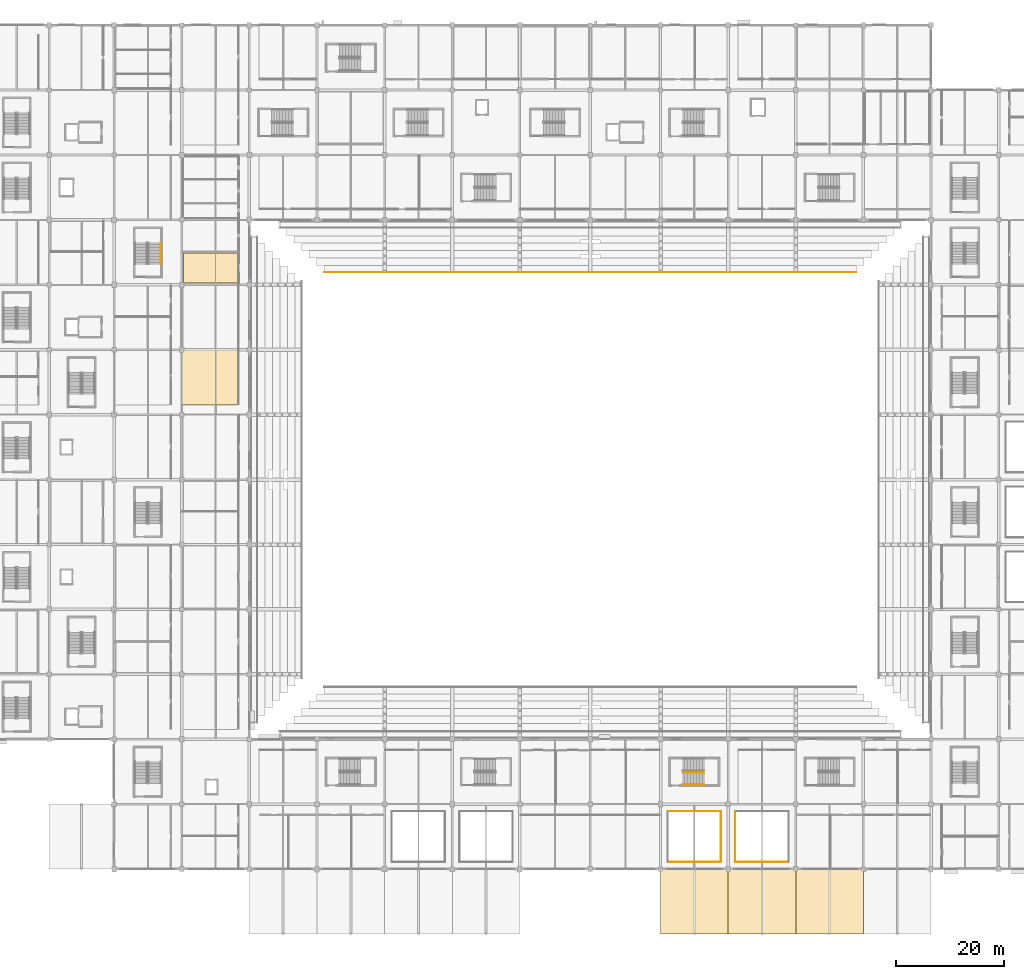
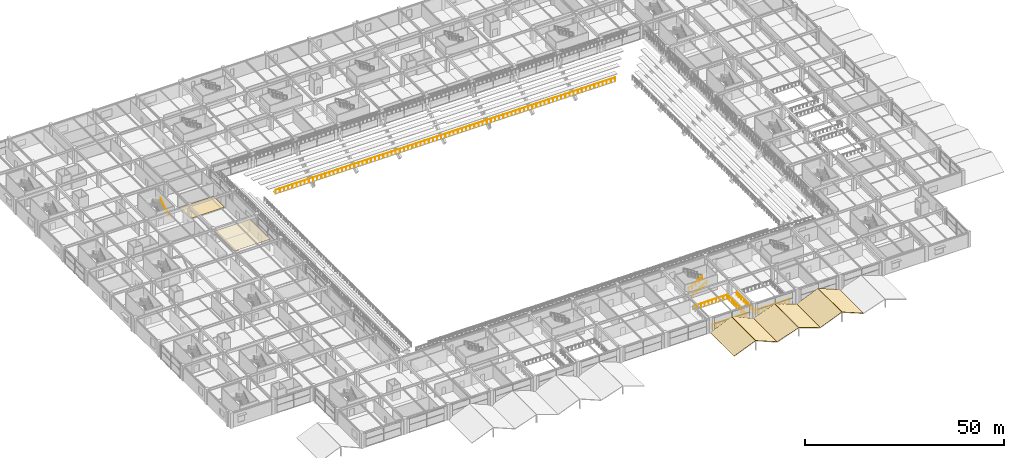
# One storey, part 111 of 134: 9 railings, 8 coverings.
"""IFC4 building model written with IfcOpenShell, lengths in metres."""

from ifc_helpers import new_model, si_unit, direction, frame, origin, origin_2d, place, context, subcontext, project, spatial, polyline, circle, outline, extrude, material, layer, layer_set, type_object, element, save


model = new_model("IFC4")

# Units and contexts
model_context = context("Model", 3, precision=1e-05, world=origin(), true_north=direction((0.0, 1.0)))
body_context = subcontext(model_context, "Body", "Model", "MODEL_VIEW")
ifc_project = project(units=[si_unit("LENGTHUNIT", "METRE"), si_unit("AREAUNIT", "SQUARE_METRE"), si_unit("VOLUMEUNIT", "CUBIC_METRE"), si_unit("PLANEANGLEUNIT", "RADIAN"), si_unit("MASSUNIT", "GRAM", prefix="KILO")], contexts=[model_context])

# Site, building, storey
site_placement = place(None, origin())
site = spatial("IfcSite", under=ifc_project, at=site_placement, CompositionType="ELEMENT")
building_placement = place(site_placement, origin())
building = spatial("IfcBuilding", under=site, at=building_placement, Name="Kazenohara Klinker Stadium", CompositionType="ELEMENT")
storey_placement = place(building_placement, frame((0.0, 0.0, 5.39990234375)))
storey = spatial("IfcBuildingStorey", under=building, at=storey_placement, Name="L01", CompositionType="ELEMENT", Elevation=5.39990234375)

# Coverings
ifc_material_1 = material(Name="Slatted Hokkaido cedar acoustic baffle ceiling", Category="wood")
ifc_layer_1 = layer(ifc_material_1, 0.0400390625)
ifc_layer_set_1 = layer_set([ifc_layer_1], Name="Slatted Hokkaido cedar acoustic baffle ceiling")
covering_type_1 = type_object("IfcCoveringType", Name="COV-CEIL-02", PredefinedType="CEILING", material=ifc_layer_set_1)
covering_1_placement = place(storey_placement, frame((0.0, 0.0, 3.739990234375)))
element("IfcCovering", 1, at=covering_1_placement, inside=storey, type_object=covering_type_1, Name="Suspended acoustic ceiling CL02 Spectator First-Aid Medical Clinic L01-0308A", PredefinedType="CEILING", context=body_context, shape_type="SweptSolid", body=[
    extrude(outline(polyline([(36.56005859375, 97.800048828125), (47.0400390625, 97.800048828125), (47.0400390625, 107.9599609375), (36.56005859375, 107.9599609375), (36.56005859375, 97.800048828125)])), origin(), (0.0, 0.0, 1.0), 0.0400390625),
])
ifc_material_2 = material(Name="Cushioned EPDM sports rubber flooring", Category="rubber")
ifc_layer_2 = layer(ifc_material_2, 0.014892578125)
ifc_layer_set_2 = layer_set([ifc_layer_2], Name="Cushioned EPDM sports rubber flooring")
covering_type_2 = type_object("IfcCoveringType", Name="COV-FLR-02", PredefinedType="FLOORING", material=ifc_layer_set_2)
covering_2_placement = place(storey_placement, origin())
element("IfcCovering", 2, at=covering_2_placement, inside=storey, type_object=covering_type_2, Name="Interior floor finish FL02 Youth Sports Coaching Classroom L01-0310A", PredefinedType="FLOORING", context=body_context, shape_type="SweptSolid", body=[
    extrude(outline(polyline([(36.830078125, 120.31005859375), (46.77001953125, 120.31005859375), (46.77001953125, 125.88671875), (36.830078125, 125.88671875), (36.830078125, 120.31005859375)])), origin(), (0.0, 0.0, 1.0), 0.01513671875),
])
ifc_material_3 = material(Name="Insulated standing-seam copper roofing", Category="metal")
ifc_layer_3 = layer(ifc_material_3, 0.050048828125)
ifc_layer_set_3 = layer_set([ifc_layer_3], Name="Insulated standing-seam copper roofing")
covering_type_3 = type_object("IfcCoveringType", Name="COV-ROOF-01", PredefinedType="ROOFING", material=ifc_layer_set_3)
for number, where, z_axis, x_axis, name in (
    (3, (125.0, 0.0, -0.02978515625), (-0.380352293876, 0.0, 0.924841679718), (0.924841679718, 0.0, 0.380352293876), "Standing-seam copper stepped wing roofing L01-A 11/A"),
    (4, (131.300048828125, 0.0, 2.52001953125), (0.380352293876, 0.0, 0.924841679718), (0.924841679718, 0.0, -0.380352293876), "Standing-seam copper stepped wing roofing L01-B 11/A"),
):
    element("IfcCovering", number, at=place(storey_placement, frame(where, z_axis=z_axis, x_axis=x_axis)), inside=storey, type_object=covering_type_3, Name=name, PredefinedType="ROOFING", context=body_context, shape_type="SweptSolid", body=[
        extrude(outline(polyline([(0.0, 0.0), (6.703797317791698, 0.0), (6.703797317791698, 12.0), (0.0, 12.0), (0.0, 0.0)])), origin(), (0.0, 0.0, -1.0), 0.050048828125),
    ])
for number, where, z_axis, x_axis, name in (
    (5, (137.5, 0.0, -0.02978515625), (-0.327622925614, 0.0, 0.944808561886), (0.944808561886, 0.0, 0.327622925614), "Standing-seam copper stepped wing roofing L01-A 12/A"),
    (6, (143.800048828125, 0.0, 2.1201171875), (0.327622925614, 0.0, 0.944808561886), (0.944808561886, 0.0, -0.327622925614), "Standing-seam copper stepped wing roofing L01-B 12/A"),
):
    element("IfcCovering", number, at=place(storey_placement, frame(where, z_axis=z_axis, x_axis=x_axis)), inside=storey, type_object=covering_type_3, Name=name, PredefinedType="ROOFING", context=body_context, shape_type="SweptSolid", body=[
        extrude(outline(polyline([(0.0, 0.0), (6.5621242461032345, 0.0), (6.5621242461032345, 12.0), (0.0, 12.0), (0.0, 0.0)])), origin(), (0.0, 0.0, -1.0), 0.050048828125),
    ])
for number, where, z_axis, x_axis, name in (
    (7, (150.0, 0.0, -0.02978515625), (-0.380352293876, 0.0, 0.924841679718), (0.924841679718, 0.0, 0.380352293876), "Standing-seam copper stepped wing roofing L01-A 13/A"),
    (8, (156.300048828125, 0.0, 2.52001953125), (0.380352293876, 0.0, 0.924841679718), (0.924841679718, 0.0, -0.380352293876), "Standing-seam copper stepped wing roofing L01-B 13/A"),
):
    element("IfcCovering", number, at=place(storey_placement, frame(where, z_axis=z_axis, x_axis=x_axis)), inside=storey, type_object=covering_type_3, Name=name, PredefinedType="ROOFING", context=body_context, shape_type="SweptSolid", body=[
        extrude(outline(polyline([(0.0, 0.0), (6.703797317791698, 0.0), (6.703797317791698, 12.0), (0.0, 12.0), (0.0, 0.0)])), origin(), (0.0, 0.0, -1.0), 0.050048828125),
    ])

# Railings
ifc_material_4 = material(Name="Tempered laminated glass and stainless steel 316 balustrade", Category="steel")
ifc_layer_4 = layer(ifc_material_4, 0.090087890625)
ifc_layer_set_4 = layer_set([ifc_layer_4], Name="Tempered laminated glass and stainless steel 316 balustrade")
railing_type_1 = type_object("IfcRailingType", Name="RL-BAL-1150", PredefinedType="BALUSTRADE", material=ifc_layer_set_4)
for number, where, name in (
    (9, (126.3701171875, 13.320068359375, 0.0), "Double-height atrium gallery balustrade BL01-V03-S"),
    (10, (126.3701171875, 22.679931640625, 0.0), "Double-height atrium gallery balustrade BL01-V03-N"),
):
    element("IfcRailing", number, at=place(storey_placement, frame(where)), inside=storey, type_object=railing_type_1, Name=name, PredefinedType="BALUSTRADE", context=body_context, shape_type="SweptSolid", body=[
        extrude(circle(Radius=0.02392578125, at=origin_2d()), frame((0.0, 0.0, 1.1259765625), z_axis=(1.0, 0.0, 0.0), x_axis=(0.0, 1.0, 0.0)), (0.0, 0.0, 1.0), 9.759765625),
        extrude(circle(Radius=0.02099609375, at=origin_2d()), origin(), (0.0, 0.0, 1.0), 1.101806640625),
        extrude(circle(Radius=0.02099609375, at=origin_2d()), frame((1.08447265625, 0.0, 0.0)), (0.0, 0.0, 1.0), 1.101806640625),
        extrude(circle(Radius=0.02099609375, at=origin_2d()), frame((2.1689453125, 0.0, 0.0)), (0.0, 0.0, 1.0), 1.101806640625),
        extrude(circle(Radius=0.02099609375, at=origin_2d()), frame((3.253173828125, 0.0, 0.0)), (0.0, 0.0, 1.0), 1.101806640625),
        extrude(circle(Radius=0.02099609375, at=origin_2d()), frame((4.337646484375, 0.0, 0.0)), (0.0, 0.0, 1.0), 1.101806640625),
        extrude(circle(Radius=0.02099609375, at=origin_2d()), frame((5.422119140625, 0.0, 0.0)), (0.0, 0.0, 1.0), 1.101806640625),
        extrude(circle(Radius=0.02099609375, at=origin_2d()), frame((6.506591796875, 0.0, 0.0)), (0.0, 0.0, 1.0), 1.101806640625),
        extrude(circle(Radius=0.02099609375, at=origin_2d()), frame((7.5908203125, 0.0, 0.0)), (0.0, 0.0, 1.0), 1.101806640625),
        extrude(circle(Radius=0.02099609375, at=origin_2d()), frame((8.67529296875, 0.0, 0.0)), (0.0, 0.0, 1.0), 1.101806640625),
        extrude(circle(Radius=0.02099609375, at=origin_2d()), frame((9.759765625, 0.0, 0.0)), (0.0, 0.0, 1.0), 1.101806640625),
    ])
railing_1_placement = place(storey_placement, frame((136.179931640625, 13.3701171875, 0.0)))
element("IfcRailing", 11, at=railing_1_placement, inside=storey, type_object=railing_type_1, Name="Double-height atrium gallery balustrade BL01-V03-E", PredefinedType="BALUSTRADE", context=body_context, shape_type="SweptSolid", body=[
    extrude(circle(Radius=0.02392578125, at=origin_2d()), frame((0.0, 0.0, 1.1259765625), z_axis=(0.0, 1.0, 0.0), x_axis=(-1.0, 0.0, 0.0)), (0.0, 0.0, 1.0), 9.259765625),
    extrude(circle(Radius=0.02099609375, at=origin_2d()), origin(), (0.0, 0.0, 1.0), 1.101806640625),
    extrude(circle(Radius=0.02099609375, at=origin_2d()), frame((0.0, 1.157470703125, 0.0)), (0.0, 0.0, 1.0), 1.101806640625),
    extrude(circle(Radius=0.02099609375, at=origin_2d()), frame((0.0, 2.31494140625, 0.0)), (0.0, 0.0, 1.0), 1.101806640625),
    extrude(circle(Radius=0.02099609375, at=origin_2d()), frame((0.0, 3.472412109375, 0.0)), (0.0, 0.0, 1.0), 1.101806640625),
    extrude(circle(Radius=0.02099609375, at=origin_2d()), frame((0.0, 4.6298828125, 0.0)), (0.0, 0.0, 1.0), 1.101806640625),
    extrude(circle(Radius=0.02099609375, at=origin_2d()), frame((0.0, 5.787353515625, 0.0)), (0.0, 0.0, 1.0), 1.101806640625),
    extrude(circle(Radius=0.02099609375, at=origin_2d()), frame((0.0, 6.94482421875, 0.0)), (0.0, 0.0, 1.0), 1.101806640625),
    extrude(circle(Radius=0.02099609375, at=origin_2d()), frame((0.0, 8.102294921875, 0.0)), (0.0, 0.0, 1.0), 1.101806640625),
    extrude(circle(Radius=0.02099609375, at=origin_2d()), frame((0.0, 9.259765625, 0.0)), (0.0, 0.0, 1.0), 1.101806640625),
])
railing_2_placement = place(storey_placement, frame((138.8701171875, 13.320068359375, 0.0)))
element("IfcRailing", 12, at=railing_2_placement, inside=storey, type_object=railing_type_1, Name="Double-height atrium gallery balustrade BL01-V04-S", PredefinedType="BALUSTRADE", context=body_context, shape_type="SweptSolid", body=[
    extrude(circle(Radius=0.02392578125, at=origin_2d()), frame((0.0, 0.0, 1.1259765625), z_axis=(1.0, 0.0, 0.0), x_axis=(0.0, 1.0, 0.0)), (0.0, 0.0, 1.0), 9.759765625),
    extrude(circle(Radius=0.02099609375, at=origin_2d()), origin(), (0.0, 0.0, 1.0), 1.101806640625),
    extrude(circle(Radius=0.02099609375, at=origin_2d()), frame((1.08447265625, 0.0, 0.0)), (0.0, 0.0, 1.0), 1.101806640625),
    extrude(circle(Radius=0.02099609375, at=origin_2d()), frame((2.1689453125, 0.0, 0.0)), (0.0, 0.0, 1.0), 1.101806640625),
    extrude(circle(Radius=0.02099609375, at=origin_2d()), frame((3.253173828125, 0.0, 0.0)), (0.0, 0.0, 1.0), 1.101806640625),
    extrude(circle(Radius=0.02099609375, at=origin_2d()), frame((4.337646484375, 0.0, 0.0)), (0.0, 0.0, 1.0), 1.101806640625),
    extrude(circle(Radius=0.02099609375, at=origin_2d()), frame((5.422119140625, 0.0, 0.0)), (0.0, 0.0, 1.0), 1.101806640625),
    extrude(circle(Radius=0.02099609375, at=origin_2d()), frame((6.506591796875, 0.0, 0.0)), (0.0, 0.0, 1.0), 1.101806640625),
    extrude(circle(Radius=0.02099609375, at=origin_2d()), frame((7.5908203125, 0.0, 0.0)), (0.0, 0.0, 1.0), 1.101806640625),
    extrude(circle(Radius=0.02099609375, at=origin_2d()), frame((8.67529296875, 0.0, 0.0)), (0.0, 0.0, 1.0), 1.101806640625),
    extrude(circle(Radius=0.02099609375, at=origin_2d()), frame((9.759765625, 0.0, 0.0)), (0.0, 0.0, 1.0), 1.101806640625),
])
railing_3_placement = place(storey_placement, frame((138.820068359375, 13.3701171875, 0.0)))
element("IfcRailing", 13, at=railing_3_placement, inside=storey, type_object=railing_type_1, Name="Double-height atrium gallery balustrade BL01-V04-W", PredefinedType="BALUSTRADE", context=body_context, shape_type="SweptSolid", body=[
    extrude(circle(Radius=0.02392578125, at=origin_2d()), frame((0.0, 0.0, 1.1259765625), z_axis=(0.0, 1.0, 0.0), x_axis=(-1.0, 0.0, 0.0)), (0.0, 0.0, 1.0), 9.259765625),
    extrude(circle(Radius=0.02099609375, at=origin_2d()), origin(), (0.0, 0.0, 1.0), 1.101806640625),
    extrude(circle(Radius=0.02099609375, at=origin_2d()), frame((0.0, 1.157470703125, 0.0)), (0.0, 0.0, 1.0), 1.101806640625),
    extrude(circle(Radius=0.02099609375, at=origin_2d()), frame((0.0, 2.31494140625, 0.0)), (0.0, 0.0, 1.0), 1.101806640625),
    extrude(circle(Radius=0.02099609375, at=origin_2d()), frame((0.0, 3.472412109375, 0.0)), (0.0, 0.0, 1.0), 1.101806640625),
    extrude(circle(Radius=0.02099609375, at=origin_2d()), frame((0.0, 4.6298828125, 0.0)), (0.0, 0.0, 1.0), 1.101806640625),
    extrude(circle(Radius=0.02099609375, at=origin_2d()), frame((0.0, 5.787353515625, 0.0)), (0.0, 0.0, 1.0), 1.101806640625),
    extrude(circle(Radius=0.02099609375, at=origin_2d()), frame((0.0, 6.94482421875, 0.0)), (0.0, 0.0, 1.0), 1.101806640625),
    extrude(circle(Radius=0.02099609375, at=origin_2d()), frame((0.0, 8.102294921875, 0.0)), (0.0, 0.0, 1.0), 1.101806640625),
    extrude(circle(Radius=0.02099609375, at=origin_2d()), frame((0.0, 9.259765625, 0.0)), (0.0, 0.0, 1.0), 1.101806640625),
])
ifc_material_5 = material(Name="Galvanised powder-coated steel guardrail", Category="steel")
ifc_layer_5 = layer(ifc_material_5, 0.070068359375)
ifc_layer_set_5 = layer_set([ifc_layer_5], Name="Galvanised powder-coated steel guardrail")
railing_type_2 = type_object("IfcRailingType", Name="RL-GRD-1150", PredefinedType="GUARDRAIL", material=ifc_layer_set_5)
railing_4_placement = place(storey_placement, frame((62.840087890625, 122.320068359375, -2.599853515625)))
element("IfcRailing", 14, at=railing_4_placement, inside=storey, type_object=railing_type_2, Name="Spectator stand sightline guardrail TIER-LOWER-N-07", PredefinedType="GUARDRAIL", context=body_context, shape_type="SweptSolid", body=[
    extrude(circle(Radius=0.02392578125, at=origin_2d()), frame((0.0, 0.0, 1.1259765625), z_axis=(1.0, 0.0, 0.0), x_axis=(0.0, 1.0, 0.0)), (0.0, 0.0, 1.0), 98.31982421875),
    extrude(circle(Radius=0.02099609375, at=origin_2d()), origin(), (0.0, 0.0, 1.0), 1.101806640625),
    extrude(circle(Radius=0.02099609375, at=origin_2d()), frame((1.198974609375, 0.0, 0.0)), (0.0, 0.0, 1.0), 1.101806640625),
    extrude(circle(Radius=0.02099609375, at=origin_2d()), frame((2.39794921875, 0.0, 0.0)), (0.0, 0.0, 1.0), 1.101806640625),
    extrude(circle(Radius=0.02099609375, at=origin_2d()), frame((3.59716796875, 0.0, 0.0)), (0.0, 0.0, 1.0), 1.101806640625),
    extrude(circle(Radius=0.02099609375, at=origin_2d()), frame((4.796142578125, 0.0, 0.0)), (0.0, 0.0, 1.0), 1.101806640625),
    extrude(circle(Radius=0.02099609375, at=origin_2d()), frame((5.9951171875, 0.0, 0.0)), (0.0, 0.0, 1.0), 1.101806640625),
    extrude(circle(Radius=0.02099609375, at=origin_2d()), frame((7.194091796875, 0.0, 0.0)), (0.0, 0.0, 1.0), 1.101806640625),
    extrude(circle(Radius=0.02099609375, at=origin_2d()), frame((8.39306640625, 0.0, 0.0)), (0.0, 0.0, 1.0), 1.101806640625),
    extrude(circle(Radius=0.02099609375, at=origin_2d()), frame((9.59228515625, 0.0, 0.0)), (0.0, 0.0, 1.0), 1.101806640625),
    extrude(circle(Radius=0.02099609375, at=origin_2d()), frame((10.791259765625, 0.0, 0.0)), (0.0, 0.0, 1.0), 1.101806640625),
    extrude(circle(Radius=0.02099609375, at=origin_2d()), frame((11.990234375, 0.0, 0.0)), (0.0, 0.0, 1.0), 1.101806640625),
    extrude(circle(Radius=0.02099609375, at=origin_2d()), frame((13.189208984375, 0.0, 0.0)), (0.0, 0.0, 1.0), 1.101806640625),
    extrude(circle(Radius=0.02099609375, at=origin_2d()), frame((14.38818359375, 0.0, 0.0)), (0.0, 0.0, 1.0), 1.101806640625),
    extrude(circle(Radius=0.02099609375, at=origin_2d()), frame((15.58740234375, 0.0, 0.0)), (0.0, 0.0, 1.0), 1.101806640625),
    extrude(circle(Radius=0.02099609375, at=origin_2d()), frame((16.786376953125, 0.0, 0.0)), (0.0, 0.0, 1.0), 1.101806640625),
    extrude(circle(Radius=0.02099609375, at=origin_2d()), frame((17.9853515625, 0.0, 0.0)), (0.0, 0.0, 1.0), 1.101806640625),
    extrude(circle(Radius=0.02099609375, at=origin_2d()), frame((19.184326171875, 0.0, 0.0)), (0.0, 0.0, 1.0), 1.101806640625),
    extrude(circle(Radius=0.02099609375, at=origin_2d()), frame((20.38330078125, 0.0, 0.0)), (0.0, 0.0, 1.0), 1.101806640625),
    extrude(circle(Radius=0.02099609375, at=origin_2d()), frame((21.58251953125, 0.0, 0.0)), (0.0, 0.0, 1.0), 1.101806640625),
    extrude(circle(Radius=0.02099609375, at=origin_2d()), frame((22.781494140625, 0.0, 0.0)), (0.0, 0.0, 1.0), 1.101806640625),
    extrude(circle(Radius=0.02099609375, at=origin_2d()), frame((23.98046875, 0.0, 0.0)), (0.0, 0.0, 1.0), 1.101806640625),
    extrude(circle(Radius=0.02099609375, at=origin_2d()), frame((25.179443359375, 0.0, 0.0)), (0.0, 0.0, 1.0), 1.101806640625),
    extrude(circle(Radius=0.02099609375, at=origin_2d()), frame((26.37841796875, 0.0, 0.0)), (0.0, 0.0, 1.0), 1.101806640625),
    extrude(circle(Radius=0.02099609375, at=origin_2d()), frame((27.577392578125, 0.0, 0.0)), (0.0, 0.0, 1.0), 1.101806640625),
    extrude(circle(Radius=0.02099609375, at=origin_2d()), frame((28.776611328125, 0.0, 0.0)), (0.0, 0.0, 1.0), 1.101806640625),
    extrude(circle(Radius=0.02099609375, at=origin_2d()), frame((29.9755859375, 0.0, 0.0)), (0.0, 0.0, 1.0), 1.101806640625),
    extrude(circle(Radius=0.02099609375, at=origin_2d()), frame((31.174560546875, 0.0, 0.0)), (0.0, 0.0, 1.0), 1.101806640625),
    extrude(circle(Radius=0.02099609375, at=origin_2d()), frame((32.37353515625, 0.0, 0.0)), (0.0, 0.0, 1.0), 1.101806640625),
    extrude(circle(Radius=0.02099609375, at=origin_2d()), frame((33.572509765625, 0.0, 0.0)), (0.0, 0.0, 1.0), 1.101806640625),
    extrude(circle(Radius=0.02099609375, at=origin_2d()), frame((34.771728515625, 0.0, 0.0)), (0.0, 0.0, 1.0), 1.101806640625),
    extrude(circle(Radius=0.02099609375, at=origin_2d()), frame((35.970703125, 0.0, 0.0)), (0.0, 0.0, 1.0), 1.101806640625),
    extrude(circle(Radius=0.02099609375, at=origin_2d()), frame((37.169677734375, 0.0, 0.0)), (0.0, 0.0, 1.0), 1.101806640625),
    extrude(circle(Radius=0.02099609375, at=origin_2d()), frame((38.36865234375, 0.0, 0.0)), (0.0, 0.0, 1.0), 1.101806640625),
    extrude(circle(Radius=0.02099609375, at=origin_2d()), frame((39.567626953125, 0.0, 0.0)), (0.0, 0.0, 1.0), 1.101806640625),
    extrude(circle(Radius=0.02099609375, at=origin_2d()), frame((40.766845703125, 0.0, 0.0)), (0.0, 0.0, 1.0), 1.101806640625),
    extrude(circle(Radius=0.02099609375, at=origin_2d()), frame((41.9658203125, 0.0, 0.0)), (0.0, 0.0, 1.0), 1.101806640625),
    extrude(circle(Radius=0.02099609375, at=origin_2d()), frame((43.164794921875, 0.0, 0.0)), (0.0, 0.0, 1.0), 1.101806640625),
    extrude(circle(Radius=0.02099609375, at=origin_2d()), frame((44.36376953125, 0.0, 0.0)), (0.0, 0.0, 1.0), 1.101806640625),
    extrude(circle(Radius=0.02099609375, at=origin_2d()), frame((45.562744140625, 0.0, 0.0)), (0.0, 0.0, 1.0), 1.101806640625),
    extrude(circle(Radius=0.02099609375, at=origin_2d()), frame((46.761962890625, 0.0, 0.0)), (0.0, 0.0, 1.0), 1.101806640625),
    extrude(circle(Radius=0.02099609375, at=origin_2d()), frame((47.9609375, 0.0, 0.0)), (0.0, 0.0, 1.0), 1.101806640625),
    extrude(circle(Radius=0.02099609375, at=origin_2d()), frame((49.159912109375, 0.0, 0.0)), (0.0, 0.0, 1.0), 1.101806640625),
    extrude(circle(Radius=0.02099609375, at=origin_2d()), frame((50.35888671875, 0.0, 0.0)), (0.0, 0.0, 1.0), 1.101806640625),
    extrude(circle(Radius=0.02099609375, at=origin_2d()), frame((51.557861328125, 0.0, 0.0)), (0.0, 0.0, 1.0), 1.101806640625),
    extrude(circle(Radius=0.02099609375, at=origin_2d()), frame((52.757080078125, 0.0, 0.0)), (0.0, 0.0, 1.0), 1.101806640625),
    extrude(circle(Radius=0.02099609375, at=origin_2d()), frame((53.9560546875, 0.0, 0.0)), (0.0, 0.0, 1.0), 1.101806640625),
    extrude(circle(Radius=0.02099609375, at=origin_2d()), frame((55.155029296875, 0.0, 0.0)), (0.0, 0.0, 1.0), 1.101806640625),
    extrude(circle(Radius=0.02099609375, at=origin_2d()), frame((56.35400390625, 0.0, 0.0)), (0.0, 0.0, 1.0), 1.101806640625),
    extrude(circle(Radius=0.02099609375, at=origin_2d()), frame((57.552978515625, 0.0, 0.0)), (0.0, 0.0, 1.0), 1.101806640625),
    extrude(circle(Radius=0.02099609375, at=origin_2d()), frame((58.752197265625, 0.0, 0.0)), (0.0, 0.0, 1.0), 1.101806640625),
    extrude(circle(Radius=0.02099609375, at=origin_2d()), frame((59.951171875, 0.0, 0.0)), (0.0, 0.0, 1.0), 1.101806640625),
    extrude(circle(Radius=0.02099609375, at=origin_2d()), frame((61.150146484375, 0.0, 0.0)), (0.0, 0.0, 1.0), 1.101806640625),
    extrude(circle(Radius=0.02099609375, at=origin_2d()), frame((62.34912109375, 0.0, 0.0)), (0.0, 0.0, 1.0), 1.101806640625),
    extrude(circle(Radius=0.02099609375, at=origin_2d()), frame((63.548095703125, 0.0, 0.0)), (0.0, 0.0, 1.0), 1.101806640625),
    extrude(circle(Radius=0.02099609375, at=origin_2d()), frame((64.747314453125, 0.0, 0.0)), (0.0, 0.0, 1.0), 1.101806640625),
    extrude(circle(Radius=0.02099609375, at=origin_2d()), frame((65.9462890625, 0.0, 0.0)), (0.0, 0.0, 1.0), 1.101806640625),
    extrude(circle(Radius=0.02099609375, at=origin_2d()), frame((67.145263671875, 0.0, 0.0)), (0.0, 0.0, 1.0), 1.101806640625),
    extrude(circle(Radius=0.02099609375, at=origin_2d()), frame((68.34423828125, 0.0, 0.0)), (0.0, 0.0, 1.0), 1.101806640625),
    extrude(circle(Radius=0.02099609375, at=origin_2d()), frame((69.543212890625, 0.0, 0.0)), (0.0, 0.0, 1.0), 1.101806640625),
    extrude(circle(Radius=0.02099609375, at=origin_2d()), frame((70.742431640625, 0.0, 0.0)), (0.0, 0.0, 1.0), 1.101806640625),
    extrude(circle(Radius=0.02099609375, at=origin_2d()), frame((71.94140625, 0.0, 0.0)), (0.0, 0.0, 1.0), 1.101806640625),
    extrude(circle(Radius=0.02099609375, at=origin_2d()), frame((73.140380859375, 0.0, 0.0)), (0.0, 0.0, 1.0), 1.101806640625),
    extrude(circle(Radius=0.02099609375, at=origin_2d()), frame((74.33935546875, 0.0, 0.0)), (0.0, 0.0, 1.0), 1.101806640625),
    extrude(circle(Radius=0.02099609375, at=origin_2d()), frame((75.538330078125, 0.0, 0.0)), (0.0, 0.0, 1.0), 1.101806640625),
    extrude(circle(Radius=0.02099609375, at=origin_2d()), frame((76.7373046875, 0.0, 0.0)), (0.0, 0.0, 1.0), 1.101806640625),
    extrude(circle(Radius=0.02099609375, at=origin_2d()), frame((77.9365234375, 0.0, 0.0)), (0.0, 0.0, 1.0), 1.101806640625),
    extrude(circle(Radius=0.02099609375, at=origin_2d()), frame((79.135498046875, 0.0, 0.0)), (0.0, 0.0, 1.0), 1.101806640625),
    extrude(circle(Radius=0.02099609375, at=origin_2d()), frame((80.33447265625, 0.0, 0.0)), (0.0, 0.0, 1.0), 1.101806640625),
    extrude(circle(Radius=0.02099609375, at=origin_2d()), frame((81.533447265625, 0.0, 0.0)), (0.0, 0.0, 1.0), 1.101806640625),
    extrude(circle(Radius=0.02099609375, at=origin_2d()), frame((82.732421875, 0.0, 0.0)), (0.0, 0.0, 1.0), 1.101806640625),
    extrude(circle(Radius=0.02099609375, at=origin_2d()), frame((83.931640625, 0.0, 0.0)), (0.0, 0.0, 1.0), 1.101806640625),
    extrude(circle(Radius=0.02099609375, at=origin_2d()), frame((85.130615234375, 0.0, 0.0)), (0.0, 0.0, 1.0), 1.101806640625),
    extrude(circle(Radius=0.02099609375, at=origin_2d()), frame((86.32958984375, 0.0, 0.0)), (0.0, 0.0, 1.0), 1.101806640625),
    extrude(circle(Radius=0.02099609375, at=origin_2d()), frame((87.528564453125, 0.0, 0.0)), (0.0, 0.0, 1.0), 1.101806640625),
    extrude(circle(Radius=0.02099609375, at=origin_2d()), frame((88.7275390625, 0.0, 0.0)), (0.0, 0.0, 1.0), 1.101806640625),
    extrude(circle(Radius=0.02099609375, at=origin_2d()), frame((89.9267578125, 0.0, 0.0)), (0.0, 0.0, 1.0), 1.101806640625),
    extrude(circle(Radius=0.02099609375, at=origin_2d()), frame((91.125732421875, 0.0, 0.0)), (0.0, 0.0, 1.0), 1.101806640625),
    extrude(circle(Radius=0.02099609375, at=origin_2d()), frame((92.32470703125, 0.0, 0.0)), (0.0, 0.0, 1.0), 1.101806640625),
    extrude(circle(Radius=0.02099609375, at=origin_2d()), frame((93.523681640625, 0.0, 0.0)), (0.0, 0.0, 1.0), 1.101806640625),
    extrude(circle(Radius=0.02099609375, at=origin_2d()), frame((94.72265625, 0.0, 0.0)), (0.0, 0.0, 1.0), 1.101806640625),
    extrude(circle(Radius=0.02099609375, at=origin_2d()), frame((95.921875, 0.0, 0.0)), (0.0, 0.0, 1.0), 1.101806640625),
    extrude(circle(Radius=0.02099609375, at=origin_2d()), frame((97.120849609375, 0.0, 0.0)), (0.0, 0.0, 1.0), 1.101806640625),
    extrude(circle(Radius=0.02099609375, at=origin_2d()), frame((98.31982421875, 0.0, 0.0)), (0.0, 0.0, 1.0), 1.101806640625),
])
ifc_material_6 = material(Name="Brushed stainless steel 304 handrail", Category="steel")
ifc_layer_6 = layer(ifc_material_6, 0.050048828125)
ifc_layer_set_6 = layer_set([ifc_layer_6], Name="Brushed stainless steel 304 handrail")
railing_type_3 = type_object("IfcRailingType", Name="RL-HND-900", PredefinedType="HANDRAIL", material=ifc_layer_set_6)
railing_5_placement = place(storey_placement, frame((32.610107421875, 123.85009765625, 0.16015625)))
element("IfcRailing", 15, at=railing_5_placement, inside=storey, type_object=railing_type_3, Name="L01 ST18 stair handrail 1", PredefinedType="HANDRAIL", context=body_context, shape_type="SweptSolid", body=[
    extrude(circle(Radius=0.02392578125, at=origin_2d()), frame((0.0, 0.0, 0.8759765625), z_axis=(0.0, 0.868239814368, 0.496144761885), x_axis=(-1.0, 0.0, 0.0)), (0.0, 0.0, 1.0), 4.514892578125),
    extrude(circle(Radius=0.02099609375, at=origin_2d()), origin(), (0.0, 0.0, 1.0), 0.851806640625),
    extrude(circle(Radius=0.02099609375, at=origin_2d()), frame((0.0, 0.97998046875, 0.56005859375)), (0.0, 0.0, 1.0), 0.851806640625),
    extrude(circle(Radius=0.02099609375, at=origin_2d()), frame((0.0, 1.9599609375, 1.1201171875)), (0.0, 0.0, 1.0), 0.851806640625),
    extrude(circle(Radius=0.02099609375, at=origin_2d()), frame((0.0, 2.93994140625, 1.679931640625)), (0.0, 0.0, 1.0), 0.851806640625),
    extrude(circle(Radius=0.02099609375, at=origin_2d()), frame((0.0, 3.919921875, 2.239990234375)), (0.0, 0.0, 1.0), 0.851806640625),
])
railing_6_placement = place(storey_placement, frame((129.1201171875, 27.6201171875, 0.16015625)))
element("IfcRailing", 16, at=railing_6_placement, inside=storey, type_object=railing_type_3, Name="L01 ST27 stair handrail 1", PredefinedType="HANDRAIL", context=body_context, shape_type="SweptSolid", body=[
    extrude(circle(Radius=0.02392578125, at=origin_2d()), frame((0.0, 0.0, 0.8759765625), z_axis=(0.868239814368, 0.0, 0.496144761885), x_axis=(0.0, 1.0, 0.0)), (0.0, 0.0, 1.0), 4.514892578125),
    extrude(circle(Radius=0.02099609375, at=origin_2d()), origin(), (0.0, 0.0, 1.0), 0.851806640625),
    extrude(circle(Radius=0.02099609375, at=origin_2d()), frame((0.97998046875, 0.0, 0.56005859375)), (0.0, 0.0, 1.0), 0.851806640625),
    extrude(circle(Radius=0.02099609375, at=origin_2d()), frame((1.9599609375, 0.0, 1.1201171875)), (0.0, 0.0, 1.0), 0.851806640625),
    extrude(circle(Radius=0.02099609375, at=origin_2d()), frame((2.93994140625, 0.0, 1.679931640625)), (0.0, 0.0, 1.0), 0.851806640625),
    extrude(circle(Radius=0.02099609375, at=origin_2d()), frame((3.919921875, 0.0, 2.239990234375)), (0.0, 0.0, 1.0), 0.851806640625),
])
ifc_material_7 = material(Name="Painted steel stairwell guardrail", Category="steel")
ifc_layer_7 = layer(ifc_material_7, 0.06005859375)
ifc_layer_set_7 = layer_set([ifc_layer_7], Name="Painted steel stairwell guardrail")
railing_type_4 = type_object("IfcRailingType", Name="RL-STG-1120", PredefinedType="GUARDRAIL", material=ifc_layer_set_7)
railing_7_placement = place(storey_placement, frame((129.1201171875, 29.85009765625, 0.16015625)))
element("IfcRailing", 17, at=railing_7_placement, inside=storey, type_object=railing_type_4, Name="L01 ST27 stair guard 1", PredefinedType="GUARDRAIL", context=body_context, shape_type="SweptSolid", body=[
    extrude(circle(Radius=0.02392578125, at=origin_2d()), frame((0.0, 0.0, 1.1259765625), z_axis=(0.868239814368, 0.0, 0.496144761885), x_axis=(0.0, 1.0, 0.0)), (0.0, 0.0, 1.0), 4.514892578125),
    extrude(circle(Radius=0.02099609375, at=origin_2d()), origin(), (0.0, 0.0, 1.0), 1.101806640625),
    extrude(circle(Radius=0.02099609375, at=origin_2d()), frame((0.97998046875, 0.0, 0.56005859375)), (0.0, 0.0, 1.0), 1.101806640625),
    extrude(circle(Radius=0.02099609375, at=origin_2d()), frame((1.9599609375, 0.0, 1.1201171875)), (0.0, 0.0, 1.0), 1.101806640625),
    extrude(circle(Radius=0.02099609375, at=origin_2d()), frame((2.93994140625, 0.0, 1.679931640625)), (0.0, 0.0, 1.0), 1.101806640625),
    extrude(circle(Radius=0.02099609375, at=origin_2d()), frame((3.919921875, 0.0, 2.239990234375)), (0.0, 0.0, 1.0), 1.101806640625),
])

save(model, "model.ifc")
